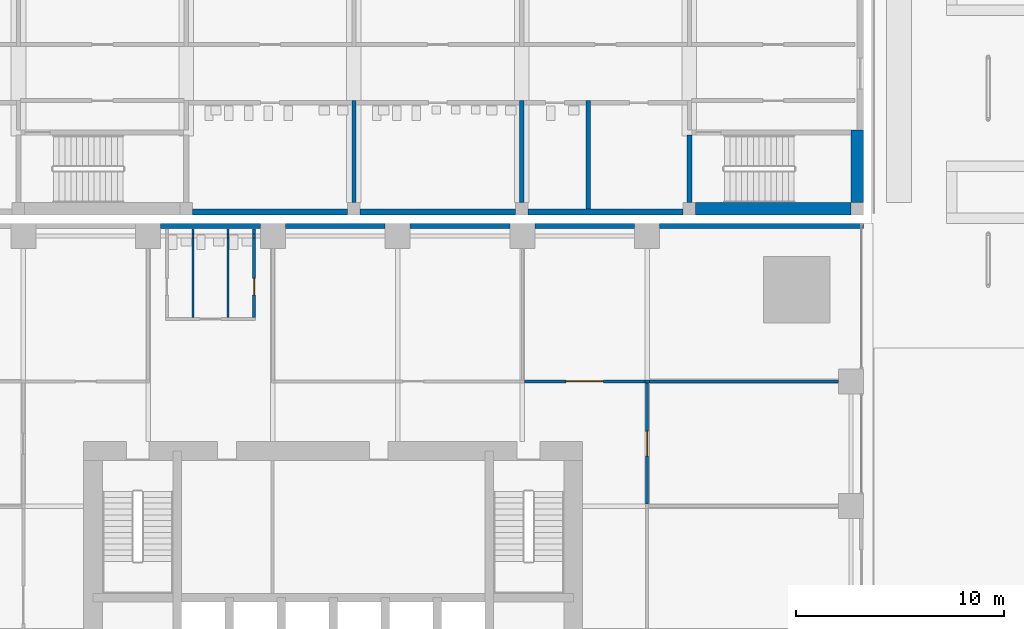
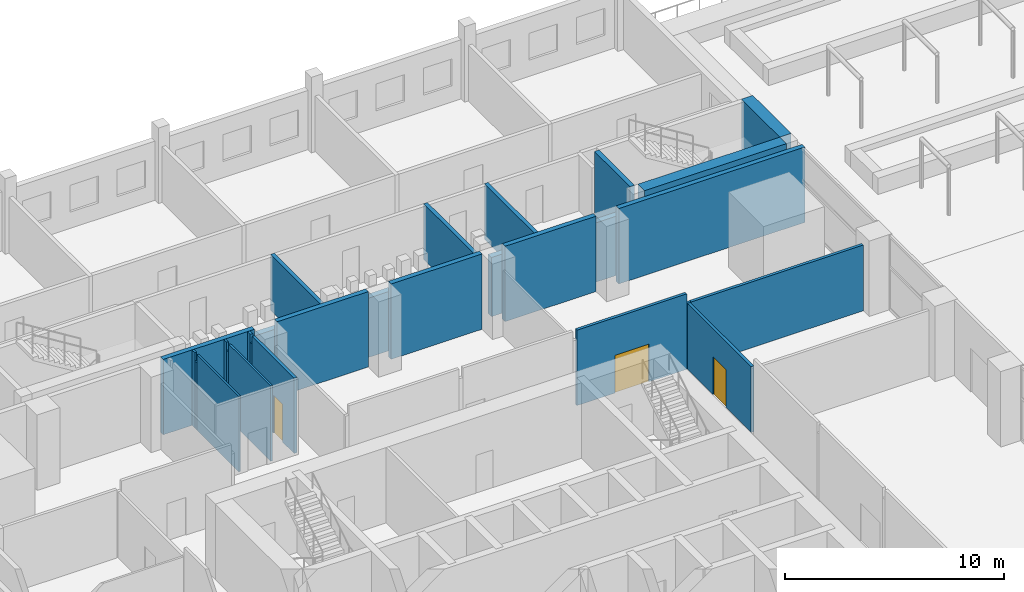
# One storey, part 23 of 34: 27 walls, 3 doors, 3 openings.
"""IFC4 building model written with IfcOpenShell, lengths in metres."""

from ifc_helpers import new_model, si_unit, direction, frame, frame_2d, origin, place, context, subcontext, project, spatial, rectangle, extrude, material, layer, layer_set, type_object, element, fill, save


model = new_model("IFC4")

# Units and contexts
model_context = context("Model", 3, precision=1e-05, world=origin(), true_north=direction((0.0, 1.0)))
body_context = subcontext(model_context, "Body", "Model", "MODEL_VIEW")
ifc_project = project(units=[si_unit("LENGTHUNIT", "METRE"), si_unit("AREAUNIT", "SQUARE_METRE"), si_unit("VOLUMEUNIT", "CUBIC_METRE"), si_unit("PLANEANGLEUNIT", "RADIAN"), si_unit("MASSUNIT", "GRAM", prefix="KILO")], contexts=[model_context])

# Site, building, storey
site_placement = place(None, origin())
site = spatial("IfcSite", under=ifc_project, at=site_placement, CompositionType="ELEMENT")
building_placement = place(site_placement, origin())
building = spatial("IfcBuilding", under=site, at=building_placement, Name="Amberfall Residences", CompositionType="ELEMENT")
storey_placement = place(building_placement, frame((0.0, 0.0, 5.5)))
storey = spatial("IfcBuildingStorey", under=building, at=storey_placement, Name="L01", CompositionType="ELEMENT", Elevation=5.5)

# Walls
ifc_material_1 = material(Name="Gypsum board on steel studs", Category="steel")
ifc_layer_1 = layer(ifc_material_1, 0.10009765625)
ifc_layer_set_1 = layer_set([ifc_layer_1], Name="Partition 100")
wall_type_1 = type_object("IfcWallType", Name="Partition 100", PredefinedType="PARTITIONING", material=ifc_layer_set_1)
wall_1_placement = place(storey_placement, frame((67.760009765625, 63.47509765625, 0.0), z_axis=(0.0, 0.0, 1.0), x_axis=(0.0, 1.0, 0.0)))
element("IfcWall", 1, at=wall_1_placement, inside=storey, type_object=wall_type_1, Name="Partition 100 L01 004", PredefinedType="PARTITIONING", context=body_context, shape_type="SweptSolid", body=[
    extrude(rectangle(XDim=3.830078125, YDim=0.10009765625, at=frame_2d((1.9150390625, 0.0))), origin(), (0.0, 0.0, 1.0), 4.199951171875),
])
wall_2_placement = place(storey_placement, frame((67.760009765625, 67.30517578125, 0.0), z_axis=(0.0, 0.0, 1.0), x_axis=(0.0, 1.0, 0.0)))
element("IfcWall", 2, at=wall_2_placement, inside=storey, type_object=wall_type_1, Name="Partition 100 L01 005", PredefinedType="PARTITIONING", context=body_context, shape_type="SweptSolid", body=[
    extrude(rectangle(XDim=0.18994140625, YDim=0.10009765625, at=frame_2d((0.094970703125, 0.0))), origin(), (0.0, 0.0, 1.0), 3.7470703125),
])
wall_3_placement = place(storey_placement, frame((67.760009765625, 67.4951171875, 0.0), z_axis=(0.0, 0.0, 1.0), x_axis=(0.0, 1.0, 0.0)))
element("IfcWall", 3, at=wall_3_placement, inside=storey, type_object=wall_type_1, Name="Partition 100 L01 006", PredefinedType="PARTITIONING", context=body_context, shape_type="SweptSolid", body=[
    extrude(rectangle(XDim=0.244873046875, YDim=0.10009765625, at=frame_2d((0.12255859375, 0.0))), origin(), (0.0, 0.0, 1.0), 4.199951171875),
])
wall_4_placement = place(storey_placement, frame((69.43994140625, 63.47509765625, 0.0), z_axis=(0.0, 0.0, 1.0), x_axis=(0.0, 1.0, 0.0)))
element("IfcWall", 4, at=wall_4_placement, inside=storey, type_object=wall_type_1, Name="Partition 100 L01 007", PredefinedType="PARTITIONING", context=body_context, shape_type="SweptSolid", body=[
    extrude(rectangle(XDim=3.830078125, YDim=0.10009765625, at=frame_2d((1.9150390625, 0.0))), origin(), (0.0, 0.0, 1.0), 4.199951171875),
])
wall_5_placement = place(storey_placement, frame((69.43994140625, 67.30517578125, 0.0), z_axis=(0.0, 0.0, 1.0), x_axis=(0.0, 1.0, 0.0)))
element("IfcWall", 5, at=wall_5_placement, inside=storey, type_object=wall_type_1, Name="Partition 100 L01 008", PredefinedType="PARTITIONING", context=body_context, shape_type="SweptSolid", body=[
    extrude(rectangle(XDim=0.18994140625, YDim=0.10009765625, at=frame_2d((0.094970703125, 0.0))), origin(), (0.0, 0.0, 1.0), 3.7470703125),
])
wall_6_placement = place(storey_placement, frame((69.43994140625, 67.4951171875, 0.0), z_axis=(0.0, 0.0, 1.0), x_axis=(0.0, 1.0, 0.0)))
element("IfcWall", 6, at=wall_6_placement, inside=storey, type_object=wall_type_1, Name="Partition 100 L01 009", PredefinedType="PARTITIONING", context=body_context, shape_type="SweptSolid", body=[
    extrude(rectangle(XDim=0.244873046875, YDim=0.10009765625, at=frame_2d((0.12255859375, 0.0))), origin(), (0.0, 0.0, 1.0), 4.199951171875),
])

# Wall, opening, door
ifc_material_2 = material(Name="Fire-rated gypsum board on steel studs", Category="steel")
ifc_layer_2 = layer(ifc_material_2, 0.14990234375)
ifc_layer_set_2 = layer_set([ifc_layer_2], Name="Partition 150 fire-rated")
wall_type_2 = type_object("IfcWallType", Name="Partition 150 fire-rated", PredefinedType="PARTITIONING", material=ifc_layer_set_2)
wall_7_placement = place(storey_placement, frame((83.70458984375, 60.39990234375, 0.0), z_axis=(0.0, 0.0, 1.0), x_axis=(1.0, 0.0, 0.0)))
wall_7 = element("IfcWall", 7, at=wall_7_placement, inside=storey, type_object=wall_type_2, Name="Partition 150 fire-rated L01 024", PredefinedType="PARTITIONING", context=body_context, shape_type="SweptSolid", body=[
    extrude(rectangle(XDim=5.7900390625, YDim=0.14990234375, at=frame_2d((2.89501953125, 0.0))), origin(), (0.0, 0.0, 1.0), 4.199951171875),
])
opening_1_placement = place(wall_7_placement, frame((1.995361328125, 0.0, 0.0)))
opening_1 = element("IfcOpeningElement", 8, at=opening_1_placement, cuts=wall_7, Name="Opening D5", PredefinedType="OPENING", context=body_context, shape_type="SweptSolid", body=[
    extrude(rectangle(XDim=1.800048828125, YDim=2.10009765625, at=frame_2d((0.89990234375, 1.050048828125))), frame((0.0, 0.0849609375, 0.0), z_axis=(0.0, -1.0, 0.0), x_axis=(1.0, 0.0, 0.0)), (0.0, 0.0, 1.0), 0.169921875),
])
ifc_material_3 = material(Name="Timber veneer door leaf", Category="wood")
door_type_1 = type_object("IfcDoorType", Name="Double door 1800x2100", OperationType="DOUBLE_DOOR_SINGLE_SWING", PredefinedType="DOOR", material=ifc_material_3)
door_1_placement = place(opening_1_placement, origin())
door_1 = element("IfcDoor", 9, at=door_1_placement, inside=storey, type_object=door_type_1, Name="Door Steam room and sauna", OperationType="DOUBLE_DOOR_SINGLE_SWING", OverallHeight=2.10009765625, OverallWidth=1.800048828125, PredefinedType="DOOR", context=body_context, shape_type="SweptSolid", body=[
    extrude(rectangle(XDim=1.800048828125, YDim=2.10009765625, at=frame_2d((0.89990234375, 1.050048828125))), frame((0.0, 0.02490234375, 0.0), z_axis=(0.0, -1.0, 0.0), x_axis=(1.0, 0.0, 0.0)), (0.0, 0.0, 1.0), 0.050048828125),
])
fill(opening_1, door_1)

# Walls
wall_8_placement = place(storey_placement, frame((89.49462890625, 60.39990234375, 0.0), z_axis=(0.0, 0.0, 1.0), x_axis=(1.0, 0.0, 0.0)))
element("IfcWall", 10, at=wall_8_placement, inside=storey, type_object=wall_type_2, Name="Partition 150 fire-rated L01 025", PredefinedType="PARTITIONING", context=body_context, shape_type="SweptSolid", body=[
    extrude(rectangle(XDim=0.210693359375, YDim=0.14990234375, at=frame_2d((0.10546875, 0.0))), origin(), (0.0, 0.0, 1.0), 3.659912109375),
])
wall_9_placement = place(storey_placement, frame((89.719970703125, 60.39990234375, 0.0), z_axis=(0.0, 0.0, 1.0), x_axis=(1.0, 0.0, 0.0)))
element("IfcWall", 11, at=wall_9_placement, inside=storey, type_object=wall_type_2, Name="Partition 150 fire-rated L01 026", PredefinedType="PARTITIONING", context=body_context, shape_type="SweptSolid", body=[
    extrude(rectangle(XDim=9.080078125, YDim=0.14990234375, at=frame_2d((4.5400390625, 0.0))), origin(), (0.0, 0.0, 1.0), 3.6669921875),
])

# Wall, opening, door
wall_10_placement = place(storey_placement, frame((70.699951171875, 63.47509765625, 0.0), z_axis=(0.0, 0.0, 1.0), x_axis=(0.0, 1.0, 0.0)))
wall_10 = element("IfcWall", 12, at=wall_10_placement, inside=storey, type_object=wall_type_2, Name="Partition 150 fire-rated L01 041", PredefinedType="PARTITIONING", context=body_context, shape_type="SweptSolid", body=[
    extrude(rectangle(XDim=3.830078125, YDim=0.14990234375, at=frame_2d((1.9150390625, 0.0))), origin(), (0.0, 0.0, 1.0), 4.199951171875),
])
opening_2_placement = place(wall_10_placement, frame((1.074951171875, 0.0, 0.0)))
opening_2 = element("IfcOpeningElement", 13, at=opening_2_placement, cuts=wall_10, Name="Opening D3", PredefinedType="OPENING", context=body_context, shape_type="SweptSolid", body=[
    extrude(rectangle(XDim=0.800048828125, YDim=2.10009765625, at=frame_2d((0.39990234375, 1.050048828125))), frame((0.0, 0.0849609375, 0.0), z_axis=(0.0, -1.0, 0.0), x_axis=(1.0, 0.0, 0.0)), (0.0, 0.0, 1.0), 0.169921875),
])
door_type_2 = type_object("IfcDoorType", Name="Toilet door 800x2100", OperationType="SINGLE_SWING_LEFT", PredefinedType="DOOR", material=ifc_material_3)
door_2_placement = place(opening_2_placement, origin())
door_2 = element("IfcDoor", 14, at=door_2_placement, inside=storey, type_object=door_type_2, Name="Door Ladies WC L01", OperationType="SINGLE_SWING_LEFT", OverallHeight=2.10009765625, OverallWidth=0.800048828125, PredefinedType="DOOR", context=body_context, shape_type="SweptSolid", body=[
    extrude(rectangle(XDim=0.800048828125, YDim=2.10009765625, at=frame_2d((0.39990234375, 1.050048828125))), frame((0.0, 0.02490234375, 0.0), z_axis=(0.0, -1.0, 0.0), x_axis=(1.0, 0.0, 0.0)), (0.0, 0.0, 1.0), 0.050048828125),
])
fill(opening_2, door_2)

# Walls
wall_11_placement = place(storey_placement, frame((70.699951171875, 67.30517578125, 0.0), z_axis=(0.0, 0.0, 1.0), x_axis=(0.0, 1.0, 0.0)))
element("IfcWall", 15, at=wall_11_placement, inside=storey, type_object=wall_type_2, Name="Partition 150 fire-rated L01 042", PredefinedType="PARTITIONING", context=body_context, shape_type="SweptSolid", body=[
    extrude(rectangle(XDim=0.18994140625, YDim=0.14990234375, at=frame_2d((0.094970703125, 0.0))), origin(), (0.0, 0.0, 1.0), 3.7470703125),
])
wall_12_placement = place(storey_placement, frame((70.699951171875, 67.4951171875, 0.0), z_axis=(0.0, 0.0, 1.0), x_axis=(0.0, 1.0, 0.0)))
element("IfcWall", 16, at=wall_12_placement, inside=storey, type_object=wall_type_2, Name="Partition 150 fire-rated L01 043", PredefinedType="PARTITIONING", context=body_context, shape_type="SweptSolid", body=[
    extrude(rectangle(XDim=0.244873046875, YDim=0.14990234375, at=frame_2d((0.12255859375, 0.0))), origin(), (0.0, 0.0, 1.0), 4.199951171875),
])

# Wall, opening, door
wall_13_placement = place(storey_placement, frame((89.60009765625, 54.50537109375, 0.0), z_axis=(0.0, 0.0, 1.0), x_axis=(0.0, 1.0, 0.0)))
wall_13 = element("IfcWall", 17, at=wall_13_placement, inside=storey, type_object=wall_type_2, Name="Partition 150 fire-rated L01 053", PredefinedType="PARTITIONING", context=body_context, shape_type="SweptSolid", body=[
    extrude(rectangle(XDim=5.819580078125, YDim=0.14990234375, at=frame_2d((2.90966796875, 0.0))), origin(), (0.0, 0.0, 1.0), 3.659912109375),
])
opening_3_placement = place(wall_13_placement, frame((2.294677734375, 0.0, 0.0)))
opening_3 = element("IfcOpeningElement", 18, at=opening_3_placement, cuts=wall_13, Name="Opening D7", PredefinedType="OPENING", context=body_context, shape_type="SweptSolid", body=[
    extrude(rectangle(XDim=1.199951171875, YDim=2.10009765625, at=frame_2d((0.60009765625, 1.050048828125))), frame((0.0, 0.0849609375, 0.0), z_axis=(0.0, -1.0, 0.0), x_axis=(1.0, 0.0, 0.0)), (0.0, 0.0, 1.0), 0.169921875),
])
ifc_material_4 = material(Name="Steel fire door leaf", Category="steel")
door_type_3 = type_object("IfcDoorType", Name="Plant room door 1200x2100", OperationType="SINGLE_SWING_LEFT", PredefinedType="DOOR", material=ifc_material_4)
door_3_placement = place(opening_3_placement, origin())
door_3 = element("IfcDoor", 19, at=door_3_placement, inside=storey, type_object=door_type_3, Name="Door Pool plant room", OperationType="SINGLE_SWING_LEFT", OverallHeight=2.10009765625, OverallWidth=1.199951171875, PredefinedType="DOOR", context=body_context, shape_type="SweptSolid", body=[
    extrude(rectangle(XDim=1.199951171875, YDim=2.10009765625, at=frame_2d((0.60009765625, 1.050048828125))), frame((0.0, 0.02490234375, 0.0), z_axis=(0.0, -1.0, 0.0), x_axis=(1.0, 0.0, 0.0)), (0.0, 0.0, 1.0), 0.050048828125),
])
fill(opening_3, door_3)

# Walls
ifc_material_5 = material(Name="Precast concrete C40", Category="concrete")
ifc_layer_3 = layer(ifc_material_5, 0.25)
ifc_layer_set_3 = layer_set([ifc_layer_3], Name="Podium external wall 250")
wall_type_3 = type_object("IfcWallType", Name="Podium external wall 250", PredefinedType="SOLIDWALL", material=ifc_layer_set_3)
for number, where, z_axis, x_axis, name in (
    (20, (66.199951171875, 67.875, 0.0), (0.0, 0.0, 1.0), (1.0, 0.0, 0.0), "Podium external wall N3"),
    (21, (72.199951171875, 67.875, 0.0), (0.0, 0.0, 1.0), (1.0, 0.0, 0.0), "Podium external wall N4"),
    (22, (78.199951171875, 67.875, 0.0), (0.0, 0.0, 1.0), (1.0, 0.0, 0.0), "Podium external wall N5"),
    (23, (84.199951171875, 67.875, 0.0), (0.0, 0.0, 1.0), (1.0, 0.0, 0.0), "Podium external wall N6"),
):
    element("IfcWall", number, at=place(storey_placement, frame(where, z_axis=z_axis, x_axis=x_axis)), inside=storey, type_object=wall_type_3, Name=name, PredefinedType="SOLIDWALL", context=body_context, shape_type="SweptSolid", body=[
        extrude(rectangle(XDim=4.800048828125, YDim=0.25, at=frame_2d((2.39990234375, 0.0))), origin(), (0.0, 0.0, 1.0), 4.199951171875),
    ])
wall_14_placement = place(storey_placement, frame((90.199951171875, 67.875, 0.0), z_axis=(0.0, 0.0, 1.0), x_axis=(1.0, 0.0, 0.0)))
element("IfcWall", 24, at=wall_14_placement, inside=storey, type_object=wall_type_3, Name="Podium external wall N7", PredefinedType="SOLIDWALL", context=body_context, shape_type="SweptSolid", body=[
    extrude(rectangle(XDim=9.800048828125, YDim=0.25, at=frame_2d((4.89990234375, 0.0))), origin(), (0.0, 0.0, 1.0), 4.199951171875),
])
ifc_material_6 = material(Name="Aerated block wall")
ifc_layer_4 = layer(ifc_material_6, 0.300048828125)
ifc_layer_set_4 = layer_set([ifc_layer_4], Name="School external wall 300")
wall_type_4 = type_object("IfcWallType", Name="School external wall 300", PredefinedType="SOLIDWALL", material=ifc_layer_set_4)
for number, where, z_axis, x_axis, name in (
    (25, (67.73291015625, 68.550048828125, 0.0), (0.0, 0.0, 1.0), (1.0, 0.0, 0.0), "School external wall L01 EY2"),
    (26, (75.800048828125, 68.550048828125, 0.0), (0.0, 0.0, 1.0), (1.0, 0.0, 0.0), "School external wall L01 EY3"),
):
    element("IfcWall", number, at=place(storey_placement, frame(where, z_axis=z_axis, x_axis=x_axis)), inside=storey, type_object=wall_type_4, Name=name, PredefinedType="SOLIDWALL", context=body_context, shape_type="SweptSolid", body=[
        extrude(rectangle(XDim=7.467041015625, YDim=0.300048828125, at=frame_2d((3.7333984375, 0.0))), origin(), (0.0, 0.0, 1.0), 3.300048828125),
    ])
wall_15_placement = place(storey_placement, frame((83.866943359375, 68.550048828125, 0.0), z_axis=(0.0, 0.0, 1.0), x_axis=(1.0, 0.0, 0.0)))
element("IfcWall", 27, at=wall_15_placement, inside=storey, type_object=wall_type_4, Name="School external wall L01 EY4", PredefinedType="SOLIDWALL", context=body_context, shape_type="SweptSolid", body=[
    extrude(rectangle(XDim=7.466064453125, YDim=0.300048828125, at=frame_2d((3.73291015625, 0.0))), origin(), (0.0, 0.0, 1.0), 3.300048828125),
])
ifc_layer_5 = layer(ifc_material_6, 0.199951171875)
ifc_layer_set_5 = layer_set([ifc_layer_5], Name="School partition 200")
wall_type_5 = type_object("IfcWallType", Name="School partition 200", PredefinedType="PARTITIONING", material=ifc_layer_set_5)
for number, where, z_axis, x_axis, name in (
    (28, (75.5, 69.0, 0.0), (0.0, 0.0, 1.0), (0.0, 1.0, 0.0), "School partition L01 PS3"),
    (29, (83.56689453125, 69.0, 0.0), (0.0, 0.0, 1.0), (0.0, 1.0, 0.0), "School partition L01 PS4"),
):
    element("IfcWall", number, at=place(storey_placement, frame(where, z_axis=z_axis, x_axis=x_axis)), inside=storey, type_object=wall_type_5, Name=name, PredefinedType="PARTITIONING", context=body_context, shape_type="SweptSolid", body=[
        extrude(rectangle(XDim=4.89990234375, YDim=0.199951171875, at=frame_2d((2.449951171875, 0.0))), origin(), (0.0, 0.0, 1.0), 3.10009765625),
    ])
wall_16_placement = place(storey_placement, frame((86.76708984375, 68.699951171875, 0.0), z_axis=(0.0, 0.0, 1.0), x_axis=(0.0, 1.0, 0.0)))
element("IfcWall", 30, at=wall_16_placement, inside=storey, type_object=wall_type_5, Name="School partition L01 PS4x", PredefinedType="PARTITIONING", context=body_context, shape_type="SweptSolid", body=[
    extrude(rectangle(XDim=5.199951171875, YDim=0.199951171875, at=frame_2d((2.60009765625, 0.0))), origin(), (0.0, 0.0, 1.0), 3.10009765625),
])
ifc_material_7 = material(Name="Concrete C50", Category="concrete")
ifc_layer_6 = layer(ifc_material_7, 0.25)
ifc_layer_set_6 = layer_set([ifc_layer_6], Name="School stair core wall 250 C50")
wall_type_6 = type_object("IfcWallType", Name="School stair core wall 250 C50", PredefinedType="SHEAR", material=ifc_layer_set_6)
wall_17_placement = place(storey_placement, frame((91.633056640625, 69.0, -0.300048828125), z_axis=(0.0, 0.0, 1.0), x_axis=(0.0, 1.0, 0.0)))
element("IfcWall", 31, at=wall_17_placement, inside=storey, type_object=wall_type_6, Name="School core wall L01 SS5W", PredefinedType="SHEAR", context=body_context, shape_type="SweptSolid", body=[
    extrude(rectangle(XDim=3.25, YDim=0.25, at=frame_2d((1.625, 0.0))), origin(), (0.0, 0.0, 1.0), 4.5),
])
ifc_layer_7 = layer(ifc_material_7, 0.60009765625)
ifc_layer_set_7 = layer_set([ifc_layer_7], Name="School tower-side core wall 600 C50")
wall_type_7 = type_object("IfcWallType", Name="School tower-side core wall 600 C50", PredefinedType="SHEAR", material=ifc_layer_set_7)
wall_18_placement = place(storey_placement, frame((99.699951171875, 69.0, -0.300048828125), z_axis=(0.0, 0.0, 1.0), x_axis=(0.0, 1.0, 0.0)))
element("IfcWall", 32, at=wall_18_placement, inside=storey, type_object=wall_type_7, Name="School core wall L01 SS5EE", PredefinedType="SHEAR", context=body_context, shape_type="SweptSolid", body=[
    extrude(rectangle(XDim=3.5, YDim=0.60009765625, at=frame_2d((1.75, 0.0))), origin(), (0.0, 0.0, 1.0), 4.5),
])
wall_19_placement = place(storey_placement, frame((91.93310546875, 68.699951171875, -0.300048828125), z_axis=(0.0, 0.0, 1.0), x_axis=(1.0, 0.0, 0.0)))
element("IfcWall", 33, at=wall_19_placement, inside=storey, type_object=wall_type_7, Name="School core wall L01 SS5S", PredefinedType="SHEAR", context=body_context, shape_type="SweptSolid", body=[
    extrude(rectangle(XDim=7.466796875, YDim=0.60009765625, at=frame_2d((3.7333984375, 0.0))), origin(), (0.0, 0.0, 1.0), 4.5),
])

save(model, "model.ifc")
